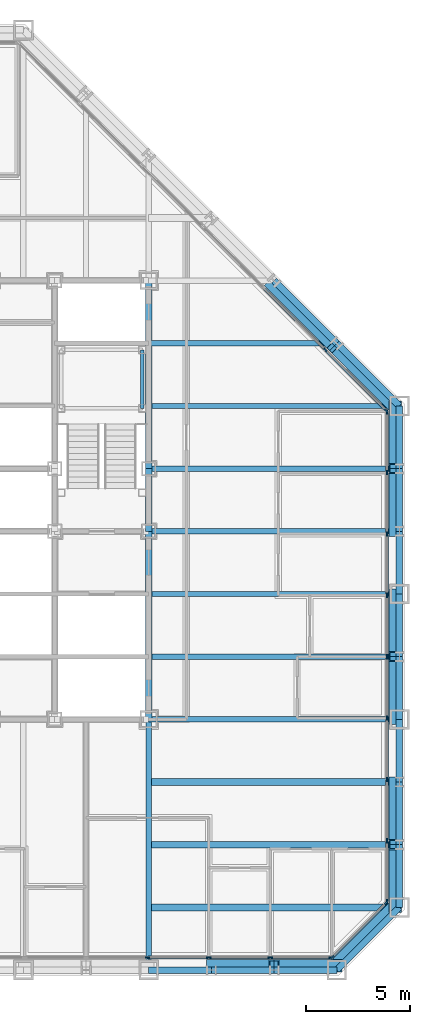
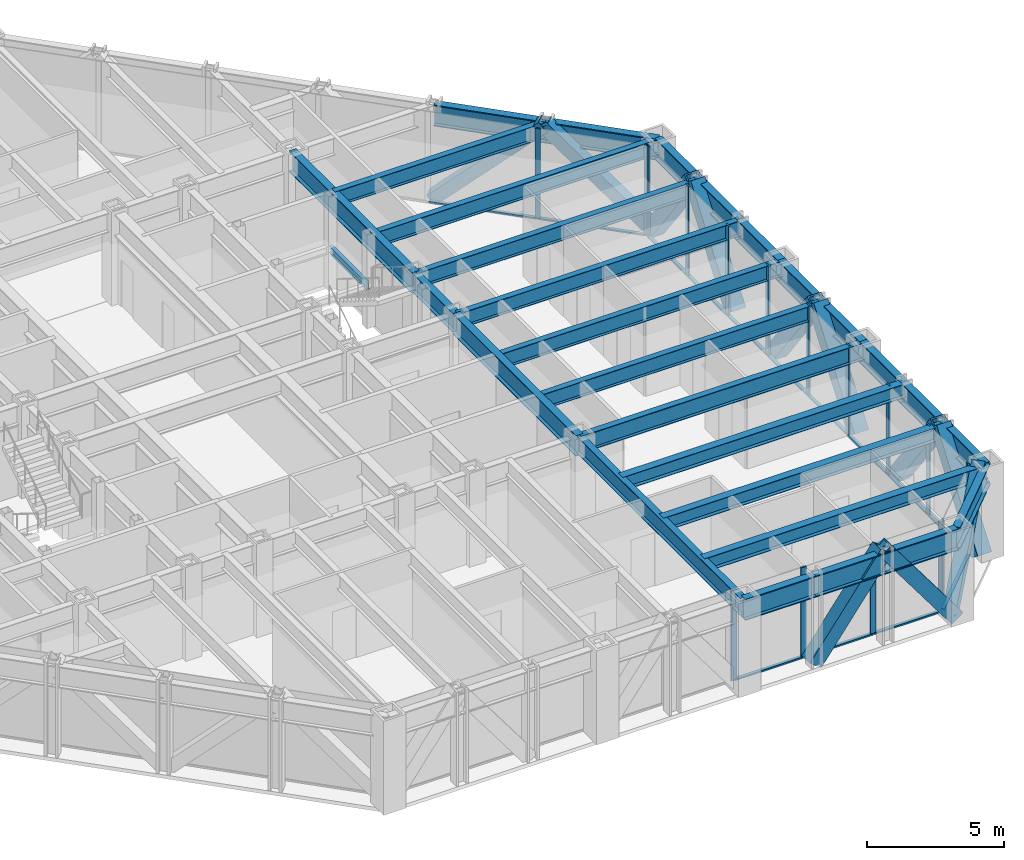
# One storey, part 6 of 16: 42 members, 29 beams, 4 elements without a shape of their own.
"""IFC4 building model written with IfcOpenShell, lengths in metres."""

from ifc_helpers import new_model, si_unit, direction, frame, origin, origin_2d, place, context, subcontext, project, spatial, rectangle, hollow_rectangle, i_section, extrude, material, layer, layer_set, material_profile, profile_set, type_object, element, aggregate, save


model = new_model("IFC4")

# Units and contexts
model_context = context("Model", 3, precision=1e-05, world=origin(), true_north=direction((0.0, 1.0)))
body_context = subcontext(model_context, "Body", "Model", "MODEL_VIEW")
ifc_project = project(units=[si_unit("LENGTHUNIT", "METRE"), si_unit("AREAUNIT", "SQUARE_METRE"), si_unit("VOLUMEUNIT", "CUBIC_METRE"), si_unit("PLANEANGLEUNIT", "RADIAN"), si_unit("MASSUNIT", "GRAM", prefix="KILO")], contexts=[model_context])

# Site, building, storey
site_placement = place(None, origin())
site = spatial("IfcSite", under=ifc_project, at=site_placement, CompositionType="ELEMENT")
building_placement = place(site_placement, origin())
building = spatial("IfcBuilding", under=site, at=building_placement, Name="Chuquiago Exchange Tower", CompositionType="ELEMENT")
storey_placement = place(building_placement, frame((0.0, 0.0, 127.800048828125)))
storey = spatial("IfcBuildingStorey", under=building, at=storey_placement, Name="L27", CompositionType="ELEMENT", Elevation=127.800048828125)

# Beams
ifc_material_1 = material(Name="Steel ASTM A992", Category="steel")
ifc_material_profile_1 = material_profile(ifc_material_1, i_section(OverallWidth=0.25390625, OverallDepth=0.683349609375, WebThickness=0.012451171875, FlangeThickness=0.018798828125, at=origin_2d()), Name="W27X94")
ifc_profile_set_1 = profile_set([ifc_material_profile_1], Name="Steel ASTM A992")
beam_type_1 = type_object("IfcBeamType", Name="B1 W27X94", PredefinedType="BEAM", material=ifc_profile_set_1)
for number, where, z_axis, x_axis, name in (
    (1, (33.0, 15.0, 3.6982421875), (1.0, 0.0, 0.0), (0.0, 1.0, 0.0), "FB-L28-infill-33_15-45_15-0"),
    (2, (33.0, 18.0, 3.6982421875), (1.0, 0.0, 0.0), (0.0, 1.0, 0.0), "FB-L28-infill-33_18-45_18-0"),
    (3, (33.0, 21.0, 3.6982421875), (1.0, 0.0, 0.0), (0.0, 1.0, 0.0), "FB-L28-infill-33_21-45_21-0"),
    (4, (33.0, 24.0, 3.6982421875), (1.0, 0.0, 0.0), (0.0, 1.0, 0.0), "FB-L28-infill-33_24-45_24-0"),
    (5, (33.0, 27.0, 3.6982421875), (1.0, 0.0, 0.0), (0.0, 1.0, 0.0), "FB-L28-infill-33_27-45_27-0"),
):
    element("IfcBeam", number, at=place(storey_placement, frame(where, z_axis=z_axis, x_axis=x_axis)), inside=storey, type_object=beam_type_1, Name=name, PredefinedType="BEAM", context=body_context, shape_type="SweptSolid", body=[
        extrude(i_section(OverallWidth=0.25390625, OverallDepth=0.683349609375, WebThickness=0.012451171875, FlangeThickness=0.018798828125, at=origin_2d()), origin(), (0.0, 0.0, 1.0), 12.0),
    ])
beam_1_placement = place(storey_placement, frame((33.0, 30.0, 3.6982421875), z_axis=(1.0, 0.0, 0.0), x_axis=(0.0, 1.0, 0.0)))
element("IfcBeam", 6, at=beam_1_placement, inside=storey, type_object=beam_type_1, Name="FB-L28-infill-33_30-42_30-0", PredefinedType="BEAM", context=body_context, shape_type="SweptSolid", body=[
    extrude(i_section(OverallWidth=0.25390625, OverallDepth=0.683349609375, WebThickness=0.012451171875, FlangeThickness=0.018798828125, at=origin_2d()), origin(), (0.0, 0.0, 1.0), 9.0),
])
ifc_material_2 = material(Name="Steel ASTM A992", Category="steel")
ifc_material_profile_2 = material_profile(ifc_material_2, i_section(OverallWidth=0.307373046875, OverallDepth=0.927001953125, WebThickness=0.01953125, FlangeThickness=0.031982421875, at=origin_2d()), Name="W36X194")
ifc_profile_set_2 = profile_set([ifc_material_profile_2], Name="Steel ASTM A992")
beam_type_2 = type_object("IfcBeamType", Name="B10 W36X194", PredefinedType="BEAM", material=ifc_profile_set_2)
for number, where, z_axis, x_axis, name in (
    (7, (33.0, 12.0, 3.576416015625), (0.0, 1.0, 0.0), (-1.0, 0.0, 0.0), "CB-L28-33_12-33_21"),
    (8, (33.0, 24.0, 3.576416015625), (0.0, 1.0, 0.0), (-1.0, 0.0, 0.0), "CB-L28-33_24-33_33"),
):
    element("IfcBeam", number, at=place(storey_placement, frame(where, z_axis=z_axis, x_axis=x_axis)), inside=storey, type_object=beam_type_2, Name=name, PredefinedType="BEAM", context=body_context, shape_type="SweptSolid", body=[
        extrude(i_section(OverallWidth=0.307373046875, OverallDepth=0.927001953125, WebThickness=0.01953125, FlangeThickness=0.031982421875, at=origin_2d()), origin(), (0.0, 0.0, 1.0), 9.0),
    ])
ifc_material_3 = material(Name="Steel ASTM A992", Category="steel")
ifc_material_profile_3 = material_profile(ifc_material_3, i_section(OverallWidth=0.3251953125, OverallDepth=0.612060546875, WebThickness=0.0126953125, FlangeThickness=0.01904296875, at=origin_2d()), Name="W24X104")
ifc_profile_set_3 = profile_set([ifc_material_profile_3], Name="Steel ASTM A992")
beam_type_3 = type_object("IfcBeamType", Name="B2 W24X104", PredefinedType="BEAM", material=ifc_profile_set_3)
for number, where, z_axis, x_axis, name in (
    (9, (33.0, 3.0, 3.73388671875), (1.0, 0.0, 0.0), (0.0, 1.0, 0.0), "FB-L28-corner-33_3-45_3-0"),
    (10, (33.0, 6.0, 3.73388671875), (1.0, 0.0, 0.0), (0.0, 1.0, 0.0), "FB-L28-corner-33_6-45_6-0"),
    (11, (33.0, 9.0, 3.73388671875), (1.0, 0.0, 0.0), (0.0, 1.0, 0.0), "FB-L28-corner-33_9-45_9-0"),
):
    element("IfcBeam", number, at=place(storey_placement, frame(where, z_axis=z_axis, x_axis=x_axis)), inside=storey, type_object=beam_type_3, Name=name, PredefinedType="BEAM", context=body_context, shape_type="SweptSolid", body=[
        extrude(i_section(OverallWidth=0.3251953125, OverallDepth=0.612060546875, WebThickness=0.0126953125, FlangeThickness=0.01904296875, at=origin_2d()), origin(), (0.0, 0.0, 1.0), 12.0),
    ])
ifc_material_4 = material(Name="Steel ASTM A992", Category="steel")
ifc_material_profile_4 = material_profile(ifc_material_4, i_section(OverallWidth=0.2919921875, OverallDepth=0.8583984375, WebThickness=0.01708984375, FlangeThickness=0.031005859375, at=origin_2d()), Name="W33X169")
ifc_profile_set_4 = profile_set([ifc_material_profile_4], Name="Steel ASTM A992")
beam_type_4 = type_object("IfcBeamType", Name="B3 W33X169", PredefinedType="BEAM", material=ifc_profile_set_4)
beam_2_placement = place(storey_placement, frame((33.0, 21.0, 3.610595703125), z_axis=(0.0, 1.0, 0.0), x_axis=(-1.0, 0.0, 0.0)))
element("IfcBeam", 12, at=beam_2_placement, inside=storey, type_object=beam_type_4, Name="CB-L28-33_21-33_24", PredefinedType="BEAM", context=body_context, shape_type="SweptSolid", body=[
    extrude(i_section(OverallWidth=0.2919921875, OverallDepth=0.8583984375, WebThickness=0.01708984375, FlangeThickness=0.031005859375, at=origin_2d()), origin(), (0.0, 0.0, 1.0), 3.0),
])

# Curtain wall, members
ifc_material_5 = material(Name="Aluminium curtain wall system", Category="aluminium")
ifc_layer_1 = layer(ifc_material_5, 0.22509765625)
ifc_layer_set_1 = layer_set([ifc_layer_1], Name="CW2 office curtain wall")
curtain_wall_type_1 = type_object("IfcCurtainWallType", Name="CW2 office curtain wall", PredefinedType="NOTDEFINED", material=ifc_layer_set_1)
curtain_wall_1_placement = place(storey_placement, origin())
curtain_wall_1 = element("IfcCurtainWall", 13, at=curtain_wall_1_placement, inside=storey, type_object=curtain_wall_type_1, Name="CW2 curtain wall L27", PredefinedType="NOTDEFINED")
ifc_material_6 = material(Name="Aluminium mullion, pale anodised", Category="aluminium")
ifc_material_profile_5 = material_profile(ifc_material_6, rectangle(XDim=0.06494140625, YDim=0.22509765625, at=origin_2d()), Name="AL 65x225")
ifc_profile_set_5 = profile_set([ifc_material_profile_5], Name="Aluminium mullion, pale anodised")
member_type_1 = type_object("IfcMemberType", Name="CW2-M mullion 65x225", PredefinedType="MULLION", material=ifc_profile_set_5)
member_1_placement = place(storey_placement, frame((32.93798828125, 0.60009765625, 0.0), z_axis=(0.0, 0.0, 1.0), x_axis=(0.0, 1.0, 0.0)))
member_1 = element("IfcMember", 14, at=member_1_placement, type_object=member_type_1, Name="CW2 mullion 6", PredefinedType="MULLION", context=body_context, shape_type="SweptSolid", body=[
    extrude(rectangle(XDim=0.06494140625, YDim=0.22509765625, at=origin_2d()), origin(), (0.0, 0.0, 1.0), 4.0400390625),
])
member_2_placement = place(storey_placement, frame((35.875732421875, 0.60009765625, 0.0), z_axis=(0.0, 0.0, 1.0), x_axis=(0.0, 1.0, 0.0)))
member_2 = element("IfcMember", 15, at=member_2_placement, type_object=member_type_1, Name="CW2 mullion 7", PredefinedType="MULLION", context=body_context, shape_type="SweptSolid", body=[
    extrude(rectangle(XDim=0.06494140625, YDim=0.22509765625, at=origin_2d()), origin(), (0.0, 0.0, 1.0), 4.0400390625),
])
member_3_placement = place(storey_placement, frame((38.813720703125, 0.60009765625, 0.0), z_axis=(0.0, 0.0, 1.0), x_axis=(0.0, 1.0, 0.0)))
member_3 = element("IfcMember", 16, at=member_3_placement, type_object=member_type_1, Name="CW2 mullion 8", PredefinedType="MULLION", context=body_context, shape_type="SweptSolid", body=[
    extrude(rectangle(XDim=0.06494140625, YDim=0.22509765625, at=origin_2d()), origin(), (0.0, 0.0, 1.0), 4.0400390625),
])
member_4_placement = place(storey_placement, frame((41.718994140625, 0.60009765625, 0.0), z_axis=(0.0, 0.0, 1.0), x_axis=(0.0, 1.0, 0.0)))
member_4 = element("IfcMember", 17, at=member_4_placement, type_object=member_type_1, Name="CW2 mullion 9", PredefinedType="MULLION", context=body_context, shape_type="SweptSolid", body=[
    extrude(rectangle(XDim=0.06494140625, YDim=0.22509765625, at=origin_2d()), origin(), (0.0, 0.0, 1.0), 4.0400390625),
])

curtain_wall_2_placement = place(storey_placement, origin())
curtain_wall_2 = element("IfcCurtainWall", 18, at=curtain_wall_2_placement, inside=storey, type_object=curtain_wall_type_1, Name="CW2 curtain wall L27", PredefinedType="NOTDEFINED")
member_5_placement = place(storey_placement, frame((44.39990234375, 3.281005859375, 0.0), z_axis=(0.0, 0.0, 1.0), x_axis=(-1.0, 0.0, 0.0)))
member_5 = element("IfcMember", 19, at=member_5_placement, type_object=member_type_1, Name="CW2 mullion 1", PredefinedType="MULLION", context=body_context, shape_type="SweptSolid", body=[
    extrude(rectangle(XDim=0.06494140625, YDim=0.22509765625, at=origin_2d()), origin(), (0.0, 0.0, 1.0), 4.0400390625),
])
member_6_placement = place(storey_placement, frame((44.39990234375, 6.186279296875, 0.0), z_axis=(0.0, 0.0, 1.0), x_axis=(-1.0, 0.0, 0.0)))
member_6 = element("IfcMember", 20, at=member_6_placement, type_object=member_type_1, Name="CW2 mullion 2", PredefinedType="MULLION", context=body_context, shape_type="SweptSolid", body=[
    extrude(rectangle(XDim=0.06494140625, YDim=0.22509765625, at=origin_2d()), origin(), (0.0, 0.0, 1.0), 4.0400390625),
])
member_7_placement = place(storey_placement, frame((44.39990234375, 9.124267578125, 0.0), z_axis=(0.0, 0.0, 1.0), x_axis=(-1.0, 0.0, 0.0)))
member_7 = element("IfcMember", 21, at=member_7_placement, type_object=member_type_1, Name="CW2 mullion 3", PredefinedType="MULLION", context=body_context, shape_type="SweptSolid", body=[
    extrude(rectangle(XDim=0.06494140625, YDim=0.22509765625, at=origin_2d()), origin(), (0.0, 0.0, 1.0), 4.0400390625),
])
member_8_placement = place(storey_placement, frame((44.39990234375, 12.06201171875, 0.0), z_axis=(0.0, 0.0, 1.0), x_axis=(-1.0, 0.0, 0.0)))
member_8 = element("IfcMember", 22, at=member_8_placement, type_object=member_type_1, Name="CW2 mullion 4", PredefinedType="MULLION", context=body_context, shape_type="SweptSolid", body=[
    extrude(rectangle(XDim=0.06494140625, YDim=0.22509765625, at=origin_2d()), origin(), (0.0, 0.0, 1.0), 4.0400390625),
])
member_9_placement = place(storey_placement, frame((44.39990234375, 15.0, 0.0), z_axis=(0.0, 0.0, 1.0), x_axis=(-1.0, 0.0, 0.0)))
member_9 = element("IfcMember", 23, at=member_9_placement, type_object=member_type_1, Name="CW2 mullion 5", PredefinedType="MULLION", context=body_context, shape_type="SweptSolid", body=[
    extrude(rectangle(XDim=0.06494140625, YDim=0.22509765625, at=origin_2d()), origin(), (0.0, 0.0, 1.0), 4.0400390625),
])
member_10_placement = place(storey_placement, frame((44.39990234375, 17.93798828125, 0.0), z_axis=(0.0, 0.0, 1.0), x_axis=(-1.0, 0.0, 0.0)))
member_10 = element("IfcMember", 24, at=member_10_placement, type_object=member_type_1, Name="CW2 mullion 6", PredefinedType="MULLION", context=body_context, shape_type="SweptSolid", body=[
    extrude(rectangle(XDim=0.06494140625, YDim=0.22509765625, at=origin_2d()), origin(), (0.0, 0.0, 1.0), 4.0400390625),
])
member_11_placement = place(storey_placement, frame((44.39990234375, 20.875732421875, 0.0), z_axis=(0.0, 0.0, 1.0), x_axis=(-1.0, 0.0, 0.0)))
member_11 = element("IfcMember", 25, at=member_11_placement, type_object=member_type_1, Name="CW2 mullion 7", PredefinedType="MULLION", context=body_context, shape_type="SweptSolid", body=[
    extrude(rectangle(XDim=0.06494140625, YDim=0.22509765625, at=origin_2d()), origin(), (0.0, 0.0, 1.0), 4.0400390625),
])
member_12_placement = place(storey_placement, frame((44.39990234375, 23.813720703125, 0.0), z_axis=(0.0, 0.0, 1.0), x_axis=(-1.0, 0.0, 0.0)))
member_12 = element("IfcMember", 26, at=member_12_placement, type_object=member_type_1, Name="CW2 mullion 8", PredefinedType="MULLION", context=body_context, shape_type="SweptSolid", body=[
    extrude(rectangle(XDim=0.06494140625, YDim=0.22509765625, at=origin_2d()), origin(), (0.0, 0.0, 1.0), 4.0400390625),
])
member_13_placement = place(storey_placement, frame((44.39990234375, 26.718994140625, 0.0), z_axis=(0.0, 0.0, 1.0), x_axis=(-1.0, 0.0, 0.0)))
member_13 = element("IfcMember", 27, at=member_13_placement, type_object=member_type_1, Name="CW2 mullion 9", PredefinedType="MULLION", context=body_context, shape_type="SweptSolid", body=[
    extrude(rectangle(XDim=0.06494140625, YDim=0.22509765625, at=origin_2d()), origin(), (0.0, 0.0, 1.0), 4.0400390625),
])

# Member
ifc_material_7 = material(Name="Aluminium transom, pale anodised", Category="aluminium")
ifc_material_profile_6 = material_profile(ifc_material_7, rectangle(XDim=0.139892578125, YDim=0.06494140625, at=origin_2d()), Name="AL 140x65")
ifc_profile_set_6 = profile_set([ifc_material_profile_6], Name="Aluminium transom, pale anodised")
member_type_2 = type_object("IfcMemberType", Name="CW2-T transom 65x140", PredefinedType="MULLION", material=ifc_profile_set_6)
member_14_placement = place(storey_placement, frame((32.970458984375, 0.60009765625, 0.032470703125), z_axis=(1.0, 0.0, 0.0), x_axis=(0.0, 1.0, 0.0)))
member_14 = element("IfcMember", 28, at=member_14_placement, type_object=member_type_2, Name="CW2 transom 6.1", PredefinedType="MULLION", context=body_context, shape_type="SweptSolid", body=[
    extrude(rectangle(XDim=0.139892578125, YDim=0.06494140625, at=origin_2d()), origin(), (0.0, 0.0, 1.0), 2.872802734375),
])

member_15_placement = place(storey_placement, frame((35.908203125, 0.60009765625, 0.032470703125), z_axis=(1.0, 0.0, 0.0), x_axis=(0.0, 1.0, 0.0)))
member_15 = element("IfcMember", 29, at=member_15_placement, type_object=member_type_2, Name="CW2 transom 7.1", PredefinedType="MULLION", context=body_context, shape_type="SweptSolid", body=[
    extrude(rectangle(XDim=0.139892578125, YDim=0.06494140625, at=origin_2d()), origin(), (0.0, 0.0, 1.0), 2.872802734375),
])

member_16_placement = place(storey_placement, frame((38.84619140625, 0.60009765625, 0.032470703125), z_axis=(1.0, 0.0, 0.0), x_axis=(0.0, 1.0, 0.0)))
member_16 = element("IfcMember", 30, at=member_16_placement, type_object=member_type_2, Name="CW2 transom 8.1", PredefinedType="MULLION", context=body_context, shape_type="SweptSolid", body=[
    extrude(rectangle(XDim=0.139892578125, YDim=0.06494140625, at=origin_2d()), origin(), (0.0, 0.0, 1.0), 2.84033203125),
])

aggregate(curtain_wall_1, [member_1, member_2, member_3, member_4, member_14, member_15, member_16])

member_17_placement = place(storey_placement, frame((44.39990234375, 3.3134765625, 0.032470703125), z_axis=(0.0, 1.0, 0.0), x_axis=(-1.0, 0.0, 0.0)))
member_17 = element("IfcMember", 31, at=member_17_placement, type_object=member_type_2, Name="CW2 transom 1.1", PredefinedType="MULLION", context=body_context, shape_type="SweptSolid", body=[
    extrude(rectangle(XDim=0.139892578125, YDim=0.06494140625, at=origin_2d()), origin(), (0.0, 0.0, 1.0), 2.84033203125),
])

member_18_placement = place(storey_placement, frame((44.39990234375, 6.218994140625, 0.032470703125), z_axis=(0.0, 1.0, 0.0), x_axis=(-1.0, 0.0, 0.0)))
member_18 = element("IfcMember", 32, at=member_18_placement, type_object=member_type_2, Name="CW2 transom 2.1", PredefinedType="MULLION", context=body_context, shape_type="SweptSolid", body=[
    extrude(rectangle(XDim=0.139892578125, YDim=0.06494140625, at=origin_2d()), origin(), (0.0, 0.0, 1.0), 2.872802734375),
])

member_19_placement = place(storey_placement, frame((44.39990234375, 9.15673828125, 0.032470703125), z_axis=(0.0, 1.0, 0.0), x_axis=(-1.0, 0.0, 0.0)))
member_19 = element("IfcMember", 33, at=member_19_placement, type_object=member_type_2, Name="CW2 transom 3.1", PredefinedType="MULLION", context=body_context, shape_type="SweptSolid", body=[
    extrude(rectangle(XDim=0.139892578125, YDim=0.06494140625, at=origin_2d()), origin(), (0.0, 0.0, 1.0), 2.872802734375),
])

member_20_placement = place(storey_placement, frame((44.39990234375, 12.0947265625, 0.032470703125), z_axis=(0.0, 1.0, 0.0), x_axis=(-1.0, 0.0, 0.0)))
member_20 = element("IfcMember", 34, at=member_20_placement, type_object=member_type_2, Name="CW2 transom 4.1", PredefinedType="MULLION", context=body_context, shape_type="SweptSolid", body=[
    extrude(rectangle(XDim=0.139892578125, YDim=0.06494140625, at=origin_2d()), origin(), (0.0, 0.0, 1.0), 2.872802734375),
])

member_21_placement = place(storey_placement, frame((44.39990234375, 15.032470703125, 0.032470703125), z_axis=(0.0, 1.0, 0.0), x_axis=(-1.0, 0.0, 0.0)))
member_21 = element("IfcMember", 35, at=member_21_placement, type_object=member_type_2, Name="CW2 transom 5.1", PredefinedType="MULLION", context=body_context, shape_type="SweptSolid", body=[
    extrude(rectangle(XDim=0.139892578125, YDim=0.06494140625, at=origin_2d()), origin(), (0.0, 0.0, 1.0), 2.872802734375),
])

member_22_placement = place(storey_placement, frame((44.39990234375, 17.970458984375, 0.032470703125), z_axis=(0.0, 1.0, 0.0), x_axis=(-1.0, 0.0, 0.0)))
member_22 = element("IfcMember", 36, at=member_22_placement, type_object=member_type_2, Name="CW2 transom 6.1", PredefinedType="MULLION", context=body_context, shape_type="SweptSolid", body=[
    extrude(rectangle(XDim=0.139892578125, YDim=0.06494140625, at=origin_2d()), origin(), (0.0, 0.0, 1.0), 2.872802734375),
])

member_23_placement = place(storey_placement, frame((44.39990234375, 20.908203125, 0.032470703125), z_axis=(0.0, 1.0, 0.0), x_axis=(-1.0, 0.0, 0.0)))
member_23 = element("IfcMember", 37, at=member_23_placement, type_object=member_type_2, Name="CW2 transom 7.1", PredefinedType="MULLION", context=body_context, shape_type="SweptSolid", body=[
    extrude(rectangle(XDim=0.139892578125, YDim=0.06494140625, at=origin_2d()), origin(), (0.0, 0.0, 1.0), 2.872802734375),
])

member_24_placement = place(storey_placement, frame((44.39990234375, 23.84619140625, 0.032470703125), z_axis=(0.0, 1.0, 0.0), x_axis=(-1.0, 0.0, 0.0)))
member_24 = element("IfcMember", 38, at=member_24_placement, type_object=member_type_2, Name="CW2 transom 8.1", PredefinedType="MULLION", context=body_context, shape_type="SweptSolid", body=[
    extrude(rectangle(XDim=0.139892578125, YDim=0.06494140625, at=origin_2d()), origin(), (0.0, 0.0, 1.0), 2.84033203125),
])

aggregate(curtain_wall_2, [member_5, member_6, member_7, member_8, member_9, member_10, member_11, member_12, member_13, member_17, member_18, member_19, member_20, member_21, member_22, member_23, member_24])

# Curtain wall, members
ifc_material_8 = material(Name="Aluminium curtain wall system", Category="aluminium")
ifc_layer_2 = layer(ifc_material_8, 0.199951171875)
ifc_layer_set_2 = layer_set([ifc_layer_2], Name="CW3 facet curtain wall")
curtain_wall_type_2 = type_object("IfcCurtainWallType", Name="CW3 facet curtain wall", PredefinedType="NOTDEFINED", material=ifc_layer_set_2)
curtain_wall_3_placement = place(storey_placement, origin())
curtain_wall_3 = element("IfcCurtainWall", 39, at=curtain_wall_3_placement, inside=storey, type_object=curtain_wall_type_2, Name="CW3 curtain wall L27", PredefinedType="NOTDEFINED")
ifc_material_9 = material(Name="Aluminium mullion, pale anodised", Category="aluminium")
ifc_material_profile_7 = material_profile(ifc_material_9, rectangle(XDim=0.06494140625, YDim=0.199951171875, at=origin_2d()), Name="AL 65x200")
ifc_profile_set_7 = profile_set([ifc_material_profile_7], Name="Aluminium mullion, pale anodised")
member_type_3 = type_object("IfcMemberType", Name="CW3-M mullion 65x200", PredefinedType="MULLION", material=ifc_profile_set_7)
member_25_placement = place(storey_placement, frame((41.7744140625, 0.623046875, 0.0), z_axis=(0.0, 0.0, 1.0), x_axis=(-0.707106781187, 0.707106781187, 0.0)))
member_25 = element("IfcMember", 40, at=member_25_placement, type_object=member_type_3, Name="CW3 mullion 1", PredefinedType="MULLION", context=body_context, shape_type="SweptSolid", body=[
    extrude(rectangle(XDim=0.06494140625, YDim=0.199951171875, at=origin_2d()), origin(), (0.0, 0.0, 1.0), 4.0400390625),
])
member_26_placement = place(storey_placement, frame((44.376953125, 3.2255859375, 0.0), z_axis=(0.0, 0.0, 1.0), x_axis=(-0.707106781187, 0.707106781187, 0.0)))
member_26 = element("IfcMember", 41, at=member_26_placement, type_object=member_type_3, Name="CW3 mullion 2", PredefinedType="MULLION", context=body_context, shape_type="SweptSolid", body=[
    extrude(rectangle(XDim=0.06494140625, YDim=0.199951171875, at=origin_2d()), origin(), (0.0, 0.0, 1.0), 4.0400390625),
])

curtain_wall_4_placement = place(storey_placement, origin())
curtain_wall_4 = element("IfcCurtainWall", 42, at=curtain_wall_4_placement, inside=storey, type_object=curtain_wall_type_2, Name="CW3 curtain wall L27", PredefinedType="NOTDEFINED")
member_27_placement = place(storey_placement, frame((44.376953125, 26.7744140625, 0.0), z_axis=(0.0, 0.0, 1.0), x_axis=(-0.707106781187, -0.707106781187, 0.0)))
member_27 = element("IfcMember", 43, at=member_27_placement, type_object=member_type_3, Name="CW3 mullion 1", PredefinedType="MULLION", context=body_context, shape_type="SweptSolid", body=[
    extrude(rectangle(XDim=0.06494140625, YDim=0.199951171875, at=origin_2d()), origin(), (0.0, 0.0, 1.0), 4.0400390625),
])
member_28_placement = place(storey_placement, frame((41.45849609375, 29.69287109375, 0.0), z_axis=(0.0, 0.0, 1.0), x_axis=(-0.707106781187, -0.707106781187, 0.0)))
member_28 = element("IfcMember", 44, at=member_28_placement, type_object=member_type_3, Name="CW3 mullion 2", PredefinedType="MULLION", context=body_context, shape_type="SweptSolid", body=[
    extrude(rectangle(XDim=0.06494140625, YDim=0.199951171875, at=origin_2d()), origin(), (0.0, 0.0, 1.0), 4.0400390625),
])

# Member
ifc_material_10 = material(Name="Aluminium transom, pale anodised", Category="aluminium")
ifc_material_profile_8 = material_profile(ifc_material_10, rectangle(XDim=0.139892578125, YDim=0.06494140625, at=origin_2d()), Name="AL 140x65")
ifc_profile_set_8 = profile_set([ifc_material_profile_8], Name="Aluminium transom, pale anodised")
member_type_4 = type_object("IfcMemberType", Name="CW3-T transom 65x140", PredefinedType="MULLION", material=ifc_profile_set_8)
member_29_placement = place(storey_placement, frame((41.79736328125, 0.64599609375, 0.032470703125), z_axis=(0.707106781187, 0.707106781187, 0.0), x_axis=(-0.707106781187, 0.707106781187, 0.0)))
member_29 = element("IfcMember", 45, at=member_29_placement, type_object=member_type_4, Name="CW3 transom 1.1", PredefinedType="MULLION", context=body_context, shape_type="SweptSolid", body=[
    extrude(rectangle(XDim=0.139892578125, YDim=0.06494140625, at=origin_2d()), origin(), (0.0, 0.0, 1.0), 3.61572265625),
])

aggregate(curtain_wall_3, [member_25, member_26, member_29])

member_30_placement = place(storey_placement, frame((44.35400390625, 26.79736328125, 0.032470703125), z_axis=(-0.707106781187, 0.707106781187, 0.0), x_axis=(-0.707106781187, -0.707106781187, 0.0)))
member_30 = element("IfcMember", 46, at=member_30_placement, type_object=member_type_4, Name="CW3 transom 1.1", PredefinedType="MULLION", context=body_context, shape_type="SweptSolid", body=[
    extrude(rectangle(XDim=0.139892578125, YDim=0.06494140625, at=origin_2d()), origin(), (0.0, 0.0, 1.0), 4.0625),
])

member_31_placement = place(storey_placement, frame((41.435546875, 29.7158203125, 0.032470703125), z_axis=(-0.707106781187, 0.707106781187, 0.0), x_axis=(-0.707106781187, -0.707106781187, 0.0)))
member_31 = element("IfcMember", 47, at=member_31_placement, type_object=member_type_4, Name="CW3 transom 2.1", PredefinedType="MULLION", context=body_context, shape_type="SweptSolid", body=[
    extrude(rectangle(XDim=0.139892578125, YDim=0.06494140625, at=origin_2d()), origin(), (0.0, 0.0, 1.0), 4.094970703125),
])

aggregate(curtain_wall_4, [member_27, member_28, member_30, member_31])

# Beams
ifc_material_11 = material(Name="Steel ASTM A992", Category="steel")
ifc_material_profile_9 = material_profile(ifc_material_11, i_section(OverallWidth=0.2666015625, OverallDepth=0.76953125, WebThickness=0.015625, FlangeThickness=0.025390625, at=origin_2d()), Name="W30X132")
ifc_profile_set_9 = profile_set([ifc_material_profile_9], Name="Steel ASTM A992")
beam_type_5 = type_object("IfcBeamType", Name="G1 W30X132", PredefinedType="BEAM", material=ifc_profile_set_9)
for number, where, z_axis, x_axis, name in (
    (48, (33.0, 12.0, 3.655029296875), (0.0, -1.0, 0.0), (1.0, 0.0, 0.0), "FB-L28-girder-33_12-33_-0-0"),
    (49, (33.0, 12.0, 3.655029296875), (1.0, 0.0, 0.0), (0.0, 1.0, 0.0), "FB-L28-girder-33_12-45_12-0"),
):
    element("IfcBeam", number, at=place(storey_placement, frame(where, z_axis=z_axis, x_axis=x_axis)), inside=storey, type_object=beam_type_5, Name=name, PredefinedType="BEAM", context=body_context, shape_type="SweptSolid", body=[
        extrude(i_section(OverallWidth=0.2666015625, OverallDepth=0.76953125, WebThickness=0.015625, FlangeThickness=0.025390625, at=origin_2d()), origin(), (0.0, 0.0, 1.0), 12.0),
    ])

# Members
ifc_material_12 = material(Name="Steel ASTM A500 Grade C", Category="steel")
ifc_material_profile_10 = material_profile(ifc_material_12, hollow_rectangle(XDim=0.508056640625, YDim=0.508056640625, WallThickness=0.017822265625, at=origin_2d()), Name="HSS20X20X3/4")
ifc_profile_set_10 = profile_set([ifc_material_profile_10], Name="Steel ASTM A500 Grade C")
member_type_5 = type_object("IfcMemberType", Name="LB1 HSS20X20X3/4", PredefinedType="BRACE", material=ifc_profile_set_10)
for number, where, z_axis, x_axis, name in (
    (50, (41.822509765625, 0.177490234375, 0.0), (0.512077265487, 0.512077265487, 0.689604051861), (-0.707106781187, 0.707106781187, 0.0), "LB-L27-42_0-45_3"),
    (51, (44.822509765625, 26.822509765625, 0.0), (-0.512077265487, 0.512077265487, 0.689604051861), (-0.707106781187, -0.707106781187, 0.0), "LB-L27-45_27-42_30"),
    (52, (38.822509765625, 32.822509765625, 0.0), (0.512077265487, -0.512077265487, 0.689604051861), (0.707106781187, 0.707106781187, 0.0), "LB-L27-42_30-39_33"),
):
    element("IfcMember", number, at=place(storey_placement, frame(where, z_axis=z_axis, x_axis=x_axis)), inside=storey, type_object=member_type_5, Name=name, PredefinedType="BRACE", context=body_context, shape_type="SweptSolid", body=[
        extrude(hollow_rectangle(XDim=0.508056640625, YDim=0.508056640625, WallThickness=0.017822265625, at=origin_2d()), origin(), (0.0, 0.0, 1.0), 5.8583984375),
    ])

# Beam
ifc_material_13 = material(Name="Steel ASTM A992", Category="steel")
ifc_material_profile_11 = material_profile(ifc_material_13, i_section(OverallWidth=0.164794921875, OverallDepth=0.309814453125, WebThickness=0.005859375, FlangeThickness=0.009765625, at=origin_2d()), Name="W12X26")
ifc_profile_set_11 = profile_set([ifc_material_profile_11], Name="Steel ASTM A992")
beam_type_6 = type_object("IfcBeamType", Name="LS1 W12X26", PredefinedType="BEAM", material=ifc_profile_set_11)
beam_3_placement = place(storey_placement, frame((32.68994140625, 26.889892578125, 1.7451171875), z_axis=(0.0, 1.0, 0.0), x_axis=(-1.0, 0.0, 0.0)))
element("IfcBeam", 53, at=beam_3_placement, inside=storey, type_object=beam_type_6, Name="Stair ST2 L27 landing 1 stringer", PredefinedType="BEAM", context=body_context, shape_type="SweptSolid", body=[
    extrude(i_section(OverallWidth=0.164794921875, OverallDepth=0.309814453125, WebThickness=0.005859375, FlangeThickness=0.009765625, at=origin_2d()), origin(), (0.0, 0.0, 1.0), 2.800048828125),
])

# Members
ifc_material_14 = material(Name="Steel ASTM A572 Grade 50", Category="steel")
ifc_material_profile_12 = material_profile(ifc_material_14, hollow_rectangle(XDim=0.60009765625, YDim=0.60009765625, WallThickness=0.06005859375, at=origin_2d()), Name="BOX600X600X60")
ifc_profile_set_12 = profile_set([ifc_material_profile_12], Name="Steel ASTM A572 Grade 50")
member_type_6 = type_object("IfcMemberType", Name="MB2 BOX600X600X60", PredefinedType="BRACE", material=ifc_profile_set_12)
for number, where, z_axis, x_axis, name in (
    (54, (36.0, 0.205078125, 0.0), (0.596173923302, 0.0, 0.802855312728), (0.0, 1.0, 0.0), "Mega diagonal L27 S face"),
    (55, (42.0, 0.205078125, 0.0), (-0.596173923302, 0.0, 0.802855312728), (0.0, -1.0, 0.0), "Mega diagonal L27 S face"),
    (56, (44.794921875, 3.0, 0.0), (0.0, 0.596173923302, 0.802855312728), (-1.0, 0.0, 0.0), "Mega diagonal L27 E face"),
    (57, (44.794921875, 9.0, 0.0), (0.0, -0.596173923302, 0.802855312728), (1.0, 0.0, 0.0), "Mega diagonal L27 E face"),
    (58, (44.794921875, 12.0, 0.0), (0.0, 0.596173923302, 0.802855312728), (-1.0, 0.0, 0.0), "Mega diagonal L27 E face"),
    (59, (44.794921875, 18.0, 0.0), (0.0, -0.596173923302, 0.802855312728), (1.0, 0.0, 0.0), "Mega diagonal L27 E face"),
    (60, (44.794921875, 21.0, 0.0), (0.0, 0.596173923302, 0.802855312728), (-1.0, 0.0, 0.0), "Mega diagonal L27 E face"),
    (61, (44.794921875, 27.0, 0.0), (0.0, -0.596173923302, 0.802855312728), (1.0, 0.0, 0.0), "Mega diagonal L27 E face"),
):
    element("IfcMember", number, at=place(storey_placement, frame(where, z_axis=z_axis, x_axis=x_axis)), inside=storey, type_object=member_type_6, Name=name, PredefinedType="BRACE", context=body_context, shape_type="SweptSolid", body=[
        extrude(hollow_rectangle(XDim=0.60009765625, YDim=0.60009765625, WallThickness=0.06005859375, at=origin_2d()), origin(), (0.0, 0.0, 1.0), 5.031982421875),
    ])

# Beams
ifc_material_15 = material(Name="Steel ASTM A992", Category="steel")
ifc_material_profile_13 = material_profile(ifc_material_15, i_section(OverallWidth=0.309814453125, OverallDepth=0.949951171875, WebThickness=0.0244140625, FlangeThickness=0.0439453125, at=origin_2d()), Name="W36X256")
ifc_profile_set_13 = profile_set([ifc_material_profile_13], Name="Steel ASTM A992")
beam_type_7 = type_object("IfcBeamType", Name="SP2 W36X256", PredefinedType="SPANDREL", material=ifc_profile_set_13)
for number, where, z_axis, x_axis, name in (
    (62, (33.0, 0.0, 3.56494140625), (1.0, 0.0, 0.0), (0.0, 1.0, 0.0), "SPB-L28-33_0-36_0"),
    (63, (36.0, 0.0, 3.56494140625), (1.0, 0.0, 0.0), (0.0, 1.0, 0.0), "SPB-L28-36_0-39_0"),
    (64, (39.0, 0.0, 3.56494140625), (1.0, 0.0, 0.0), (0.0, 1.0, 0.0), "SPB-L28-39_0-42_0"),
):
    element("IfcBeam", number, at=place(storey_placement, frame(where, z_axis=z_axis, x_axis=x_axis)), inside=storey, type_object=beam_type_7, Name=name, PredefinedType="SPANDREL", context=body_context, shape_type="SweptSolid", body=[
        extrude(i_section(OverallWidth=0.309814453125, OverallDepth=0.949951171875, WebThickness=0.0244140625, FlangeThickness=0.0439453125, at=origin_2d()), origin(), (0.0, 0.0, 1.0), 3.0),
    ])
beam_4_placement = place(storey_placement, frame((42.0, 0.0, 3.56494140625), z_axis=(0.707106781187, 0.707106781187, 0.0), x_axis=(-0.707106781187, 0.707106781187, 0.0)))
element("IfcBeam", 65, at=beam_4_placement, inside=storey, type_object=beam_type_7, Name="SPB-L28-42_0-45_3", PredefinedType="SPANDREL", context=body_context, shape_type="SweptSolid", body=[
    extrude(i_section(OverallWidth=0.309814453125, OverallDepth=0.949951171875, WebThickness=0.0244140625, FlangeThickness=0.0439453125, at=origin_2d()), origin(), (0.0, 0.0, 1.0), 4.24267578125),
])
for number, where, z_axis, x_axis, name in (
    (66, (45.0, 3.0, 3.56494140625), (0.0, 1.0, 0.0), (-1.0, 0.0, 0.0), "SPB-L28-45_3-45_6"),
    (67, (45.0, 6.0, 3.56494140625), (0.0, 1.0, 0.0), (-1.0, 0.0, 0.0), "SPB-L28-45_6-45_9"),
    (68, (45.0, 9.0, 3.56494140625), (0.0, 1.0, 0.0), (-1.0, 0.0, 0.0), "SPB-L28-45_9-45_12"),
    (69, (45.0, 12.0, 3.56494140625), (0.0, 1.0, 0.0), (-1.0, 0.0, 0.0), "SPB-L28-45_12-45_15"),
    (70, (45.0, 15.0, 3.56494140625), (0.0, 1.0, 0.0), (-1.0, 0.0, 0.0), "SPB-L28-45_15-45_18"),
    (71, (45.0, 18.0, 3.56494140625), (0.0, 1.0, 0.0), (-1.0, 0.0, 0.0), "SPB-L28-45_18-45_21"),
    (72, (45.0, 21.0, 3.56494140625), (0.0, 1.0, 0.0), (-1.0, 0.0, 0.0), "SPB-L28-45_21-45_24"),
    (73, (45.0, 24.0, 3.56494140625), (0.0, 1.0, 0.0), (-1.0, 0.0, 0.0), "SPB-L28-45_24-45_27"),
):
    element("IfcBeam", number, at=place(storey_placement, frame(where, z_axis=z_axis, x_axis=x_axis)), inside=storey, type_object=beam_type_7, Name=name, PredefinedType="SPANDREL", context=body_context, shape_type="SweptSolid", body=[
        extrude(i_section(OverallWidth=0.309814453125, OverallDepth=0.949951171875, WebThickness=0.0244140625, FlangeThickness=0.0439453125, at=origin_2d()), origin(), (0.0, 0.0, 1.0), 3.0),
    ])
for number, where, z_axis, x_axis, name in (
    (74, (45.0, 27.0, 3.56494140625), (-0.707106781187, 0.707106781187, 0.0), (-0.707106781187, -0.707106781187, 0.0), "SPB-L28-45_27-42_30"),
    (75, (42.0, 30.0, 3.56494140625), (-0.707106781187, 0.707106781187, 0.0), (-0.707106781187, -0.707106781187, 0.0), "SPB-L28-42_30-39_33"),
):
    element("IfcBeam", number, at=place(storey_placement, frame(where, z_axis=z_axis, x_axis=x_axis)), inside=storey, type_object=beam_type_7, Name=name, PredefinedType="SPANDREL", context=body_context, shape_type="SweptSolid", body=[
        extrude(i_section(OverallWidth=0.309814453125, OverallDepth=0.949951171875, WebThickness=0.0244140625, FlangeThickness=0.0439453125, at=origin_2d()), origin(), (0.0, 0.0, 1.0), 4.24267578125),
    ])

save(model, "model.ifc")
